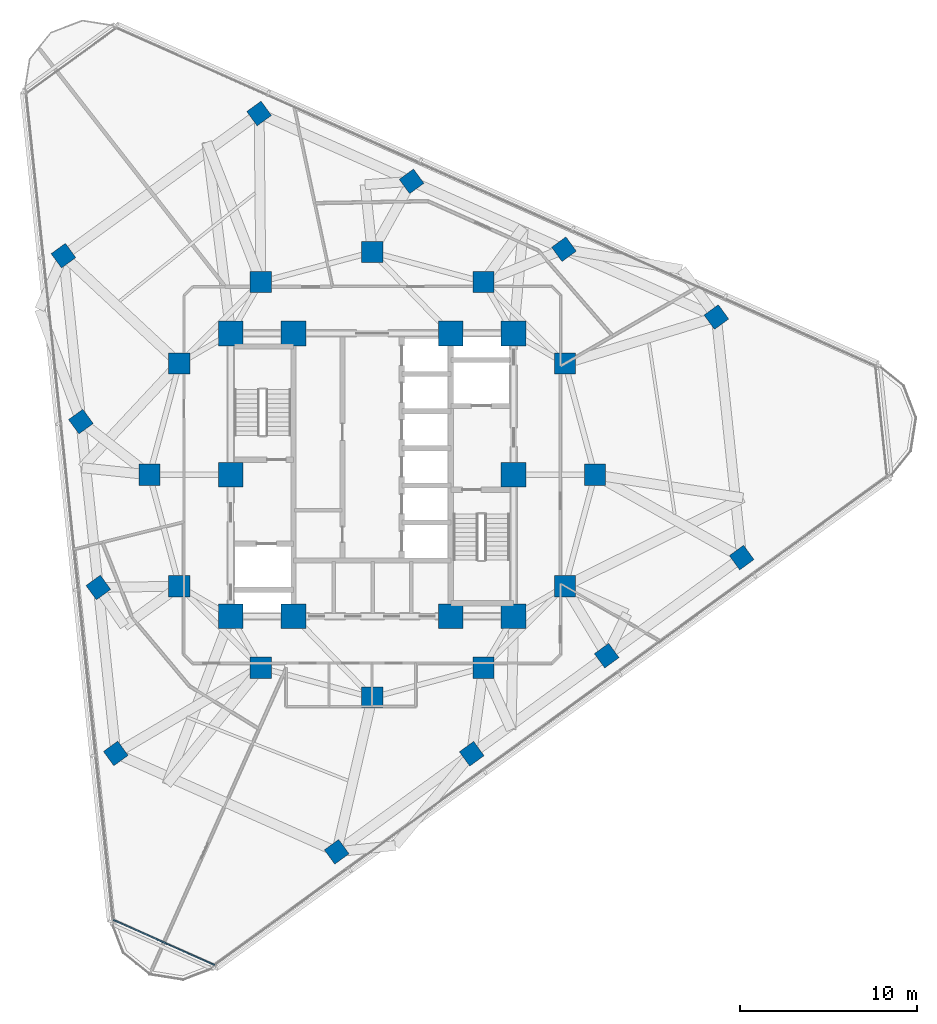
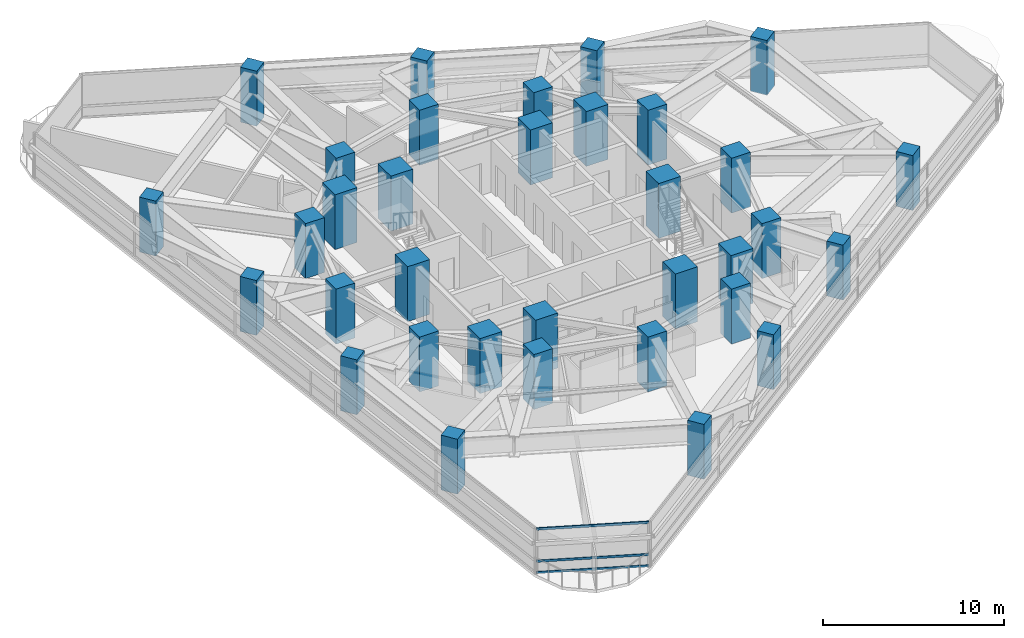
# One storey, part 1 of 14: 34 columns, 3 members, 1 element without a shape of its own.
"""IFC4 building model written with IfcOpenShell, lengths in metres."""

import ifcopenshell
import ifcopenshell.guid

model = None  # the IFC model being written
_history = None  # IfcOwnerHistory: only IFC2X3 demands one
_inside = {}  # id of a spatial element -> (the spatial element, [elements in it])
_under = {}  # id of a project, library or spatial element -> (it, [spatial elements below it])
_declared = {}  # id of a project -> (the project, [libraries it declares])
_typed = {}  # id of a type object -> (the type object, [elements of that type])
_made_of = {}  # id of a material, layer set ... -> (it, [elements and type objects made of it])


def new_model(schema):
    """Start an empty IFC model of exactly this schema.

    Asked for "IFC4X3", IfcOpenShell would pick the latest addendum, in which some entities
    have other attributes; the version numbers below select the first issue.
    IFC2X3 requires an IfcOwnerHistory on every rooted entity: one is made here for all.
    """
    global model, _history
    if schema == "IFC4X3":
        model = ifcopenshell.file(schema_version=(4, 3, 0, 0))
    else:
        model = ifcopenshell.file(schema=schema)
    _inside.clear()
    _under.clear()
    _declared.clear()
    _typed.clear()
    _made_of.clear()
    _history = None
    if model.schema == "IFC2X3":
        org = make("IfcOrganization", Name="unknown")
        user = make(
            "IfcPersonAndOrganization",
            ThePerson=make("IfcPerson", FamilyName="unknown"),
            TheOrganization=org,
        )
        app = make(
            "IfcApplication",
            ApplicationDeveloper=org,
            Version="unknown",
            ApplicationFullName="unknown",
            ApplicationIdentifier="unknown",
        )
        _history = make(
            "IfcOwnerHistory",
            OwningUser=user,
            OwningApplication=app,
            ChangeAction="ADDED",
            CreationDate=0,
        )
    return model


def make(cls, **values):
    """One entity of the class cls with the attributes given. An attribute that is None is left unset."""
    return model.create_entity(
        cls, **{name: value for name, value in values.items() if value is not None}
    )


def rooted(cls, **values):
    """An entity with a GlobalId (a new one), such as an element, a storey or a relation."""
    return make(cls, GlobalId=ifcopenshell.guid.new(), OwnerHistory=_history, **values)


def si_unit(unit_type, name, prefix=None):
    """IfcSIUnit, for example si_unit("LENGTHUNIT", "METRE", prefix="MILLI")."""
    return make("IfcSIUnit", UnitType=unit_type, Prefix=prefix, Name=name)


def assignment(units):
    """IfcUnitAssignment: the units of a project."""
    return None if units is None else make("IfcUnitAssignment", Units=units)


def point(xyz):
    """IfcCartesianPoint."""
    return None if xyz is None else make("IfcCartesianPoint", Coordinates=xyz)


def direction(xyz):
    """IfcDirection."""
    return None if xyz is None else make("IfcDirection", DirectionRatios=xyz)


def frame(location, z_axis=None, x_axis=None):
    """IfcAxis2Placement3D, a coordinate frame: its origin and axes. An axis left out is left unset."""
    return make(
        "IfcAxis2Placement3D",
        Location=point(location),
        Axis=direction(z_axis),
        RefDirection=direction(x_axis),
    )


def frame_2d(location, x_axis=None):
    """IfcAxis2Placement2D, a coordinate frame in the plane: its origin and x axis."""
    return make(
        "IfcAxis2Placement2D", Location=point(location), RefDirection=direction(x_axis)
    )


def origin():
    """The frame at (0, 0, 0) with its axes left unset."""
    return frame((0.0, 0.0, 0.0))


def origin_2d():
    """The frame at (0, 0) in the plane with its x axis left unset."""
    return frame_2d((0.0, 0.0))


def place(relative_to, where):
    """IfcLocalPlacement: puts the frame where relative to a parent placement (None: the world)."""
    return make(
        "IfcLocalPlacement", PlacementRelTo=relative_to, RelativePlacement=where
    )


def context(
    kind, dimensions, precision=None, world=None, true_north=None, identifier=None
):
    """IfcGeometricRepresentationContext, for example the 3D "Model" context."""
    return make(
        "IfcGeometricRepresentationContext",
        ContextIdentifier=identifier,
        ContextType=kind,
        CoordinateSpaceDimension=dimensions,
        Precision=precision,
        WorldCoordinateSystem=world,
        TrueNorth=true_north,
    )


def subcontext(parent, identifier, kind, view, scale=None):
    """IfcGeometricRepresentationSubContext, for example "Body" below "Model"."""
    return make(
        "IfcGeometricRepresentationSubContext",
        ContextIdentifier=identifier,
        ContextType=kind,
        ParentContext=parent,
        TargetScale=scale,
        TargetView=view,
    )


def project(units=None, contexts=None):
    """IfcProject with its units and contexts."""
    return rooted(
        "IfcProject",
        Name="project",
        RepresentationContexts=contexts,
        UnitsInContext=assignment(units),
    )


def spatial(cls, under=None, at=None, **own):
    """A site, building, storey or space (cls), placed at a placement, below another one or the project."""
    s = rooted(cls, ObjectPlacement=at, **own)
    if under is not None:
        _under.setdefault(under.id(), (under, []))[1].append(s)
    return s


def profile(cls, at=None, kind="AREA", **sizes):
    """A parametric profile (cls). Its sizes go by their IFC names, for example OverallWidth=200.0."""
    return make(cls, ProfileType=kind, Position=at, **sizes)


def rectangle(**sizes):
    """IfcRectangleProfileDef."""
    return profile("IfcRectangleProfileDef", **sizes)


def extrude(swept, where, along, depth):
    """IfcExtrudedAreaSolid: the profile swept, set in the frame where, extruded along a direction by depth."""
    return make(
        "IfcExtrudedAreaSolid",
        SweptArea=swept,
        Position=where,
        ExtrudedDirection=direction(along),
        Depth=depth,
    )


def shape(context_of_items, identifier, shape_type, items):
    """IfcShapeRepresentation: the items that make up one representation, for example the "Body"."""
    return make(
        "IfcShapeRepresentation",
        ContextOfItems=context_of_items,
        RepresentationIdentifier=identifier,
        RepresentationType=shape_type,
        Items=items,
    )


def material(Name=None, Category=None):
    """IfcMaterial."""
    return make("IfcMaterial", Name=Name, Category=Category)


def layer(
    of_material, thickness, ventilated=None, Name=None, Category=None, Priority=None
):
    """IfcMaterialLayer: one layer of a wall or slab, of a material (None: an air gap)."""
    return make(
        "IfcMaterialLayer",
        Material=of_material,
        LayerThickness=thickness,
        IsVentilated=ventilated,
        Name=Name,
        Category=Category,
        Priority=Priority,
    )


def layer_set(layers, Name=None):
    """IfcMaterialLayerSet."""
    return make("IfcMaterialLayerSet", MaterialLayers=layers, LayerSetName=Name)


def material_profile(
    of_material, cross_section, Name=None, Category=None, Priority=None
):
    """IfcMaterialProfile: a cross section and its material."""
    return make(
        "IfcMaterialProfile",
        Name=Name,
        Material=of_material,
        Profile=cross_section,
        Priority=Priority,
        Category=Category,
    )


def profile_set(profiles, Name=None, composite=None):
    """IfcMaterialProfileSet."""
    return make(
        "IfcMaterialProfileSet",
        Name=Name,
        MaterialProfiles=profiles,
        CompositeProfile=composite,
    )


def made_of(thing, what):
    """Note that an element or type object is made of a material, layer set ...; save() writes the relation."""
    if what is not None:
        _made_of.setdefault(what.id(), (what, []))[1].append(thing)
    return thing


def type_object(cls, material=None, **own):
    """A type object (cls), such as IfcWallType, which elements share."""
    return made_of(rooted(cls, **own), material)


def element(
    cls,
    number,
    at=None,
    inside=None,
    cuts=None,
    type_object=None,
    material=None,
    context=None,
    identifier="Body",
    shape_type=None,
    held_by="IfcProductDefinitionShape",
    body=None,
    shapes=None,
    **own,
):
    """One element of the class cls, such as IfcWall. Its Tag is "e" and its number.

    at: its placement. inside: the storey or other place that contains it. cuts: it is an
    opening in that element (IfcRelVoidsElement). A single representation is given by context,
    identifier, shape_type and body (its items); several are given by shapes. held_by: the class
    of the entity that holds the representations. save() writes the other relations.
    """
    e = rooted(cls, Tag="e%d" % number, ObjectPlacement=at, **own)
    if body is not None:
        shapes = [shape(context, identifier, shape_type, body)]
    if shapes is not None:
        e.Representation = make(held_by, Representations=shapes)
    if inside is not None:
        _inside.setdefault(inside.id(), (inside, []))[1].append(e)
    if cuts is not None:
        rooted(
            "IfcRelVoidsElement", RelatingBuildingElement=cuts, RelatedOpeningElement=e
        )
    if type_object is not None:
        _typed.setdefault(type_object.id(), (type_object, []))[1].append(e)
    return made_of(e, material)


def aggregate(whole, parts):
    """IfcRelAggregates: a whole, such as a stair, and the parts it consists of."""
    return rooted("IfcRelAggregates", RelatingObject=whole, RelatedObjects=parts)


def save(model, path):
    """Write the relations noted so far, then the file.

    IfcRelAggregates (storeys below a building ...), IfcRelContainedInSpatialStructure (elements
    in a storey), IfcRelDefinesByType, IfcRelAssociatesMaterial and IfcRelDeclares: one each for
    every whole, place, type object, material and project.
    """
    for whole, parts in _under.values():
        aggregate(whole, parts)
    for where, things in _inside.values():
        rooted(
            "IfcRelContainedInSpatialStructure",
            RelatedElements=things,
            RelatingStructure=where,
        )
    for kind, things in _typed.values():
        rooted("IfcRelDefinesByType", RelatedObjects=things, RelatingType=kind)
    for what, things in _made_of.values():
        rooted("IfcRelAssociatesMaterial", RelatedObjects=things, RelatingMaterial=what)
    for by, libraries in _declared.values():
        rooted("IfcRelDeclares", RelatingContext=by, RelatedDefinitions=libraries)
    model.write(path)


model = new_model("IFC4")

# Units and contexts
model_context = context("Model", 3, precision=1e-05, world=origin(), true_north=direction((0.0, 1.0)))
body_context = subcontext(model_context, "Body", "Model", "MODEL_VIEW")
ifc_project = project(units=[si_unit("LENGTHUNIT", "METRE"), si_unit("AREAUNIT", "SQUARE_METRE"), si_unit("VOLUMEUNIT", "CUBIC_METRE"), si_unit("PLANEANGLEUNIT", "RADIAN"), si_unit("MASSUNIT", "GRAM", prefix="KILO")], contexts=[model_context])

# Site, building, storey
site_placement = place(None, origin())
site = spatial("IfcSite", under=ifc_project, at=site_placement, CompositionType="ELEMENT")
building_placement = place(site_placement, origin())
building = spatial("IfcBuilding", under=site, at=building_placement, Name="Terralouvre Media Tower", CompositionType="ELEMENT")
storey_placement = place(building_placement, frame((0.0, 0.0, 180.5)))
storey = spatial("IfcBuildingStorey", under=building, at=storey_placement, Name="L46", CompositionType="ELEMENT", Elevation=180.5)

# Columns
ifc_material_1 = material(Name="Concrete C50/60", Category="concrete")
ifc_material_profile_1 = material_profile(ifc_material_1, rectangle(XDim=1.0, YDim=1.0, at=origin_2d()), Name="RC 1000x1000")
ifc_profile_set_1 = profile_set([ifc_material_profile_1], Name="Concrete C50/60")
column_type_1 = type_object("IfcColumnType", Name="Structural Column C-RC1000 (RC 1000x1000)", PredefinedType="COLUMN", material=ifc_profile_set_1)
for number, where, z_axis, x_axis, name in (
    (1, (-2.0068359375, -21.328369140625, 0.0), (0.0, 0.0, 1.0), (0.809016994375, 0.587785252292, 0.0), "L46 Perimeter Mega-Column PC11"),
    (2, (5.63037109375, -15.77978515625, 0.0), (0.0, 0.0, 1.0), (0.809016994375, 0.587785252292, 0.0), "L46 Perimeter Mega-Column PC12"),
    (3, (13.267578125, -10.23095703125, 0.0), (0.0, 0.0, 1.0), (0.809016994375, 0.587785252292, 0.0), "L46 Perimeter Mega-Column PC13"),
    (4, (20.904541015625, -4.682373046875, 0.0), (0.0, 0.0, 1.0), (0.809016994375, 0.587785252292, 0.0), "L46 Perimeter Mega-Column PC14"),
    (5, (19.474365234375, 8.92626953125, 0.0), (0.0, 0.0, 1.0), (0.809016994375, 0.587785252292, 0.0), "L46 Perimeter Mega-Column PC21"),
    (6, (10.850341796875, 12.765869140625, 0.0), (0.0, 0.0, 1.0), (0.809016994375, 0.587785252292, 0.0), "L46 Perimeter Mega-Column PC22"),
    (7, (2.2265625, 16.60546875, 0.0), (0.0, 0.0, 1.0), (0.809016994375, 0.587785252292, 0.0), "L46 Perimeter Mega-Column PC23"),
    (8, (-6.397216796875, 20.445068359375, 0.0), (0.0, 0.0, 1.0), (0.809016994375, 0.587785252292, 0.0), "L46 Perimeter Mega-Column PC24"),
    (9, (-17.467529296875, 12.402099609375, 0.0), (0.0, 0.0, 1.0), (0.809016994375, 0.587785252292, 0.0), "L46 Perimeter Mega-Column PC31"),
    (10, (-16.480712890625, 3.013916015625, 0.0), (0.0, 0.0, 1.0), (0.809016994375, 0.587785252292, 0.0), "L46 Perimeter Mega-Column PC32"),
    (11, (-15.494140625, -6.37451171875, 0.0), (0.0, 0.0, 1.0), (0.809016994375, 0.587785252292, 0.0), "L46 Perimeter Mega-Column PC33"),
    (12, (-14.50732421875, -15.7626953125, 0.0), (0.0, 0.0, 1.0), (0.809016994375, 0.587785252292, 0.0), "L46 Perimeter Mega-Column PC34"),
):
    element("IfcColumn", number, at=place(storey_placement, frame(where, z_axis=z_axis, x_axis=x_axis)), inside=storey, type_object=column_type_1, Name=name, PredefinedType="COLUMN", context=body_context, shape_type="SweptSolid", body=[
        extrude(rectangle(XDim=1.0, YDim=1.0, at=origin_2d()), origin(), (0.0, 0.0, 1.0), 3.699951171875),
    ])
ifc_material_2 = material(Name="Concrete C60/75", Category="concrete")
ifc_material_profile_2 = material_profile(ifc_material_2, rectangle(XDim=1.199951171875, YDim=1.199951171875, at=origin_2d()), Name="RC 1200x1200")
ifc_profile_set_2 = profile_set([ifc_material_profile_2], Name="Concrete C60/75")
column_type_2 = type_object("IfcColumnType", Name="Structural Column C-RC1200 (RC 1200x1200)", PredefinedType="COLUMN", material=ifc_profile_set_2)
for number, where, z_axis, x_axis, name in (
    (13, (12.60009765625, 0.0, 0.0), (0.0, 0.0, 1.0), (1.0, 0.0, 0.0), "L46 Mega-Frame Column MC01"),
    (14, (10.911865234375, 6.300048828125, 0.0), (0.0, 0.0, 1.0), (1.0, 0.0, 0.0), "L46 Mega-Frame Column MC02"),
    (15, (6.300048828125, 10.911865234375, 0.0), (0.0, 0.0, 1.0), (1.0, 0.0, 0.0), "L46 Mega-Frame Column MC03"),
    (16, (0.0, 12.60009765625, 0.0), (0.0, 0.0, 1.0), (1.0, 0.0, 0.0), "L46 Mega-Frame Column MC04"),
    (17, (-6.300048828125, 10.911865234375, 0.0), (0.0, 0.0, 1.0), (1.0, 0.0, 0.0), "L46 Mega-Frame Column MC05"),
    (18, (-10.911865234375, 6.300048828125, 0.0), (0.0, 0.0, 1.0), (1.0, 0.0, 0.0), "L46 Mega-Frame Column MC06"),
    (19, (-12.60009765625, 0.0, 0.0), (0.0, 0.0, 1.0), (1.0, 0.0, 0.0), "L46 Mega-Frame Column MC07"),
    (20, (-10.911865234375, -6.300048828125, 0.0), (0.0, 0.0, 1.0), (1.0, 0.0, 0.0), "L46 Mega-Frame Column MC08"),
    (21, (-6.300048828125, -10.911865234375, 0.0), (0.0, 0.0, 1.0), (1.0, 0.0, 0.0), "L46 Mega-Frame Column MC09"),
    (22, (0.0, -12.60009765625, 0.0), (0.0, 0.0, 1.0), (1.0, 0.0, 0.0), "L46 Mega-Frame Column MC10"),
    (23, (6.300048828125, -10.911865234375, 0.0), (0.0, 0.0, 1.0), (1.0, 0.0, 0.0), "L46 Mega-Frame Column MC11"),
    (24, (10.911865234375, -6.300048828125, 0.0), (0.0, 0.0, 1.0), (1.0, 0.0, 0.0), "L46 Mega-Frame Column MC12"),
):
    element("IfcColumn", number, at=place(storey_placement, frame(where, z_axis=z_axis, x_axis=x_axis)), inside=storey, type_object=column_type_2, Name=name, PredefinedType="COLUMN", context=body_context, shape_type="SweptSolid", body=[
        extrude(rectangle(XDim=1.199951171875, YDim=1.199951171875, at=origin_2d()), origin(), (0.0, 0.0, 1.0), 3.699951171875),
    ])
ifc_material_3 = material(Name="Concrete C60/75", Category="concrete")
ifc_material_profile_3 = material_profile(ifc_material_3, rectangle(XDim=1.39990234375, YDim=1.39990234375, at=origin_2d()), Name="RC 1400x1400")
ifc_profile_set_3 = profile_set([ifc_material_profile_3], Name="Concrete C60/75")
column_type_3 = type_object("IfcColumnType", Name="Structural Column C-RC1400 (RC 1400x1400)", PredefinedType="COLUMN", material=ifc_profile_set_3)
for number, where, z_axis, x_axis, name in (
    (25, (-8.0, -8.0, 0.0), (0.0, 0.0, 1.0), (1.0, 0.0, 0.0), "L46 Core Pilaster Column CP1"),
    (26, (-4.449951171875, -8.0, 0.0), (0.0, 0.0, 1.0), (1.0, 0.0, 0.0), "L46 Core Pilaster Column CP2"),
    (27, (4.449951171875, -8.0, 0.0), (0.0, 0.0, 1.0), (1.0, 0.0, 0.0), "L46 Core Pilaster Column CP10"),
    (28, (8.0, -8.0, 0.0), (0.0, 0.0, 1.0), (1.0, 0.0, 0.0), "L46 Core Pilaster Column CP3"),
    (29, (8.0, 0.0, 0.0), (0.0, 0.0, 1.0), (1.0, 0.0, 0.0), "L46 Core Pilaster Column CP4"),
    (30, (8.0, 8.0, 0.0), (0.0, 0.0, 1.0), (1.0, 0.0, 0.0), "L46 Core Pilaster Column CP5"),
    (31, (4.449951171875, 8.0, 0.0), (0.0, 0.0, 1.0), (1.0, 0.0, 0.0), "L46 Core Pilaster Column CP9"),
    (32, (-4.449951171875, 8.0, 0.0), (0.0, 0.0, 1.0), (1.0, 0.0, 0.0), "L46 Core Pilaster Column CP6"),
    (33, (-8.0, 8.0, 0.0), (0.0, 0.0, 1.0), (1.0, 0.0, 0.0), "L46 Core Pilaster Column CP7"),
    (34, (-8.0, 0.0, 0.0), (0.0, 0.0, 1.0), (1.0, 0.0, 0.0), "L46 Core Pilaster Column CP8"),
):
    element("IfcColumn", number, at=place(storey_placement, frame(where, z_axis=z_axis, x_axis=x_axis)), inside=storey, type_object=column_type_3, Name=name, PredefinedType="COLUMN", context=body_context, shape_type="SweptSolid", body=[
        extrude(rectangle(XDim=1.39990234375, YDim=1.39990234375, at=origin_2d()), origin(), (0.0, 0.0, 1.0), 3.699951171875),
    ])

# Curtain wall, members
ifc_material_4 = material(Name="Low-iron laminated double glazing with solar-control coating", Category="glass")
ifc_layer = layer(ifc_material_4, 0.1650390625, Name="Rounded Wind-Corner Curved Glazing CW-04")
ifc_layer_set = layer_set([ifc_layer], Name="Low-iron laminated double glazing with solar-control coating")
curtain_wall_type = type_object("IfcCurtainWallType", Name="Rounded Wind-Corner Curved Glazing CW-04", PredefinedType="NOTDEFINED", material=ifc_layer_set)
curtain_wall_placement = place(storey_placement, origin())
curtain_wall = element("IfcCurtainWall", 35, at=curtain_wall_placement, inside=storey, type_object=curtain_wall_type, Name="L46 Rounded Wind-Corner Curtain Wall C0", PredefinedType="NOTDEFINED")
ifc_material_5 = material(Name="Anodised extruded aluminium 6063-T6", Category="aluminium")
ifc_material_profile_4 = material_profile(ifc_material_5, rectangle(XDim=0.074951171875, YDim=0.14990234375, at=origin_2d()), Name="ALU 75x150")
ifc_profile_set_4 = profile_set([ifc_material_profile_4], Name="Anodised extruded aluminium 6063-T6")
member_type = type_object("IfcMemberType", Name="Curtain-Wall Horizontal Transom TR-150", PredefinedType="USERDEFINED", material=ifc_profile_set_4)
member_1_placement = place(storey_placement, frame((-14.63818359375, -25.184326171875, 0.03759765625), z_axis=(0.913542712087, -0.406742809639, 0.0), x_axis=(0.406742809639, 0.913542712087, 0.0)))
member_1 = element("IfcMember", 36, at=member_1_placement, type_object=member_type, Name="CW-04 transom 1.1", ObjectType="TRANSOM", PredefinedType="USERDEFINED", context=body_context, shape_type="SweptSolid", body=[
    extrude(rectangle(XDim=0.074951171875, YDim=0.14990234375, at=origin_2d()), origin(), (0.0, 0.0, 1.0), 6.258544921875),
])
member_2_placement = place(storey_placement, frame((-14.63818359375, -25.184326171875, 0.800048828125), z_axis=(0.913542712087, -0.406742809639, 0.0), x_axis=(0.406742809639, 0.913542712087, 0.0)))
member_2 = element("IfcMember", 37, at=member_2_placement, type_object=member_type, Name="CW-04 transom 1.2", ObjectType="TRANSOM", PredefinedType="USERDEFINED", context=body_context, shape_type="SweptSolid", body=[
    extrude(rectangle(XDim=0.074951171875, YDim=0.14990234375, at=origin_2d()), origin(), (0.0, 0.0, 1.0), 6.258544921875),
])
member_3_placement = place(storey_placement, frame((-14.63818359375, -25.184326171875, 2.96240234375), z_axis=(0.913542712087, -0.406742809639, 0.0), x_axis=(0.406742809639, 0.913542712087, 0.0)))
member_3 = element("IfcMember", 38, at=member_3_placement, type_object=member_type, Name="CW-04 transom 1.3", ObjectType="TRANSOM", PredefinedType="USERDEFINED", context=body_context, shape_type="SweptSolid", body=[
    extrude(rectangle(XDim=0.074951171875, YDim=0.14990234375, at=origin_2d()), origin(), (0.0, 0.0, 1.0), 6.258544921875),
])
aggregate(curtain_wall, [member_1, member_2, member_3])

save(model, "model.ifc")
